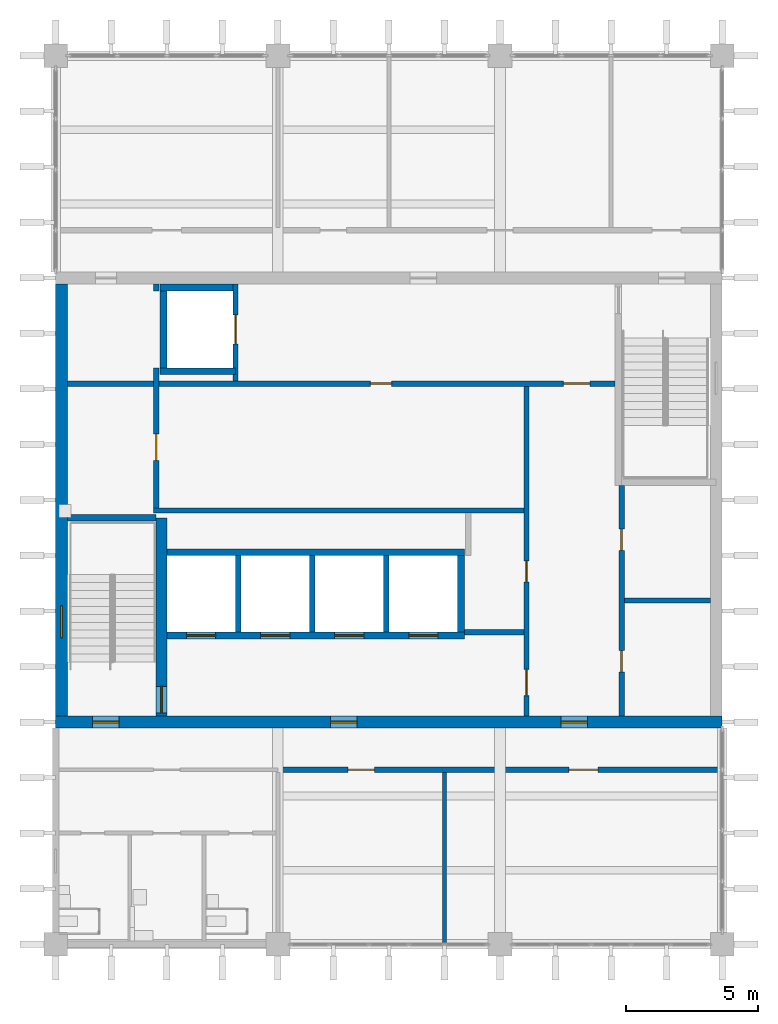
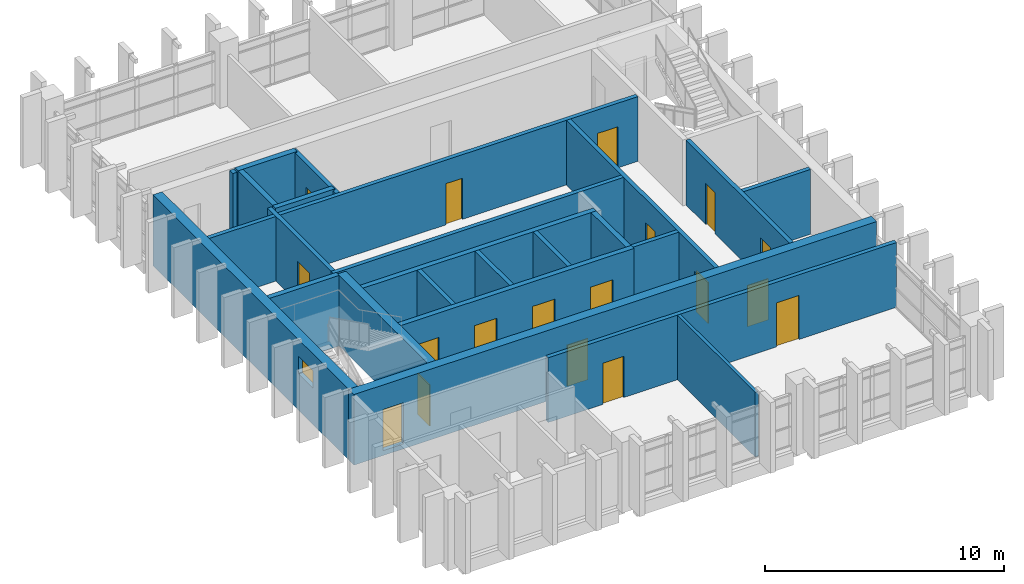
# One storey, part 7 of 10: 24 walls, 18 doors, 1 window, 19 openings.
"""IFC4 building model written with IfcOpenShell, lengths in metres."""

import ifcopenshell
import ifcopenshell.guid

model = None  # the IFC model being written
_history = None  # IfcOwnerHistory: only IFC2X3 demands one
_inside = {}  # id of a spatial element -> (the spatial element, [elements in it])
_under = {}  # id of a project, library or spatial element -> (it, [spatial elements below it])
_declared = {}  # id of a project -> (the project, [libraries it declares])
_typed = {}  # id of a type object -> (the type object, [elements of that type])
_made_of = {}  # id of a material, layer set ... -> (it, [elements and type objects made of it])


def new_model(schema):
    """Start an empty IFC model of exactly this schema.

    Asked for "IFC4X3", IfcOpenShell would pick the latest addendum, in which some entities
    have other attributes; the version numbers below select the first issue.
    IFC2X3 requires an IfcOwnerHistory on every rooted entity: one is made here for all.
    """
    global model, _history
    if schema == "IFC4X3":
        model = ifcopenshell.file(schema_version=(4, 3, 0, 0))
    else:
        model = ifcopenshell.file(schema=schema)
    _inside.clear()
    _under.clear()
    _declared.clear()
    _typed.clear()
    _made_of.clear()
    _history = None
    if model.schema == "IFC2X3":
        org = make("IfcOrganization", Name="unknown")
        user = make(
            "IfcPersonAndOrganization",
            ThePerson=make("IfcPerson", FamilyName="unknown"),
            TheOrganization=org,
        )
        app = make(
            "IfcApplication",
            ApplicationDeveloper=org,
            Version="unknown",
            ApplicationFullName="unknown",
            ApplicationIdentifier="unknown",
        )
        _history = make(
            "IfcOwnerHistory",
            OwningUser=user,
            OwningApplication=app,
            ChangeAction="ADDED",
            CreationDate=0,
        )
    return model


def make(cls, **values):
    """One entity of the class cls with the attributes given. An attribute that is None is left unset."""
    return model.create_entity(
        cls, **{name: value for name, value in values.items() if value is not None}
    )


def rooted(cls, **values):
    """An entity with a GlobalId (a new one), such as an element, a storey or a relation."""
    return make(cls, GlobalId=ifcopenshell.guid.new(), OwnerHistory=_history, **values)


def si_unit(unit_type, name, prefix=None):
    """IfcSIUnit, for example si_unit("LENGTHUNIT", "METRE", prefix="MILLI")."""
    return make("IfcSIUnit", UnitType=unit_type, Prefix=prefix, Name=name)


def assignment(units):
    """IfcUnitAssignment: the units of a project."""
    return None if units is None else make("IfcUnitAssignment", Units=units)


def point(xyz):
    """IfcCartesianPoint."""
    return None if xyz is None else make("IfcCartesianPoint", Coordinates=xyz)


def direction(xyz):
    """IfcDirection."""
    return None if xyz is None else make("IfcDirection", DirectionRatios=xyz)


def frame(location, z_axis=None, x_axis=None):
    """IfcAxis2Placement3D, a coordinate frame: its origin and axes. An axis left out is left unset."""
    return make(
        "IfcAxis2Placement3D",
        Location=point(location),
        Axis=direction(z_axis),
        RefDirection=direction(x_axis),
    )


def frame_2d(location, x_axis=None):
    """IfcAxis2Placement2D, a coordinate frame in the plane: its origin and x axis."""
    return make(
        "IfcAxis2Placement2D", Location=point(location), RefDirection=direction(x_axis)
    )


def origin():
    """The frame at (0, 0, 0) with its axes left unset."""
    return frame((0.0, 0.0, 0.0))


def place(relative_to, where):
    """IfcLocalPlacement: puts the frame where relative to a parent placement (None: the world)."""
    return make(
        "IfcLocalPlacement", PlacementRelTo=relative_to, RelativePlacement=where
    )


def context(
    kind, dimensions, precision=None, world=None, true_north=None, identifier=None
):
    """IfcGeometricRepresentationContext, for example the 3D "Model" context."""
    return make(
        "IfcGeometricRepresentationContext",
        ContextIdentifier=identifier,
        ContextType=kind,
        CoordinateSpaceDimension=dimensions,
        Precision=precision,
        WorldCoordinateSystem=world,
        TrueNorth=true_north,
    )


def subcontext(parent, identifier, kind, view, scale=None):
    """IfcGeometricRepresentationSubContext, for example "Body" below "Model"."""
    return make(
        "IfcGeometricRepresentationSubContext",
        ContextIdentifier=identifier,
        ContextType=kind,
        ParentContext=parent,
        TargetScale=scale,
        TargetView=view,
    )


def project(units=None, contexts=None):
    """IfcProject with its units and contexts."""
    return rooted(
        "IfcProject",
        Name="project",
        RepresentationContexts=contexts,
        UnitsInContext=assignment(units),
    )


def spatial(cls, under=None, at=None, **own):
    """A site, building, storey or space (cls), placed at a placement, below another one or the project."""
    s = rooted(cls, ObjectPlacement=at, **own)
    if under is not None:
        _under.setdefault(under.id(), (under, []))[1].append(s)
    return s


def profile(cls, at=None, kind="AREA", **sizes):
    """A parametric profile (cls). Its sizes go by their IFC names, for example OverallWidth=200.0."""
    return make(cls, ProfileType=kind, Position=at, **sizes)


def rectangle(**sizes):
    """IfcRectangleProfileDef."""
    return profile("IfcRectangleProfileDef", **sizes)


def extrude(swept, where, along, depth):
    """IfcExtrudedAreaSolid: the profile swept, set in the frame where, extruded along a direction by depth."""
    return make(
        "IfcExtrudedAreaSolid",
        SweptArea=swept,
        Position=where,
        ExtrudedDirection=direction(along),
        Depth=depth,
    )


def shape(context_of_items, identifier, shape_type, items):
    """IfcShapeRepresentation: the items that make up one representation, for example the "Body"."""
    return make(
        "IfcShapeRepresentation",
        ContextOfItems=context_of_items,
        RepresentationIdentifier=identifier,
        RepresentationType=shape_type,
        Items=items,
    )


def material(Name=None, Category=None):
    """IfcMaterial."""
    return make("IfcMaterial", Name=Name, Category=Category)


def layer(
    of_material, thickness, ventilated=None, Name=None, Category=None, Priority=None
):
    """IfcMaterialLayer: one layer of a wall or slab, of a material (None: an air gap)."""
    return make(
        "IfcMaterialLayer",
        Material=of_material,
        LayerThickness=thickness,
        IsVentilated=ventilated,
        Name=Name,
        Category=Category,
        Priority=Priority,
    )


def layer_set(layers, Name=None):
    """IfcMaterialLayerSet."""
    return make("IfcMaterialLayerSet", MaterialLayers=layers, LayerSetName=Name)


def made_of(thing, what):
    """Note that an element or type object is made of a material, layer set ...; save() writes the relation."""
    if what is not None:
        _made_of.setdefault(what.id(), (what, []))[1].append(thing)
    return thing


def type_object(cls, material=None, **own):
    """A type object (cls), such as IfcWallType, which elements share."""
    return made_of(rooted(cls, **own), material)


def element(
    cls,
    number,
    at=None,
    inside=None,
    cuts=None,
    type_object=None,
    material=None,
    context=None,
    identifier="Body",
    shape_type=None,
    held_by="IfcProductDefinitionShape",
    body=None,
    shapes=None,
    **own,
):
    """One element of the class cls, such as IfcWall. Its Tag is "e" and its number.

    at: its placement. inside: the storey or other place that contains it. cuts: it is an
    opening in that element (IfcRelVoidsElement). A single representation is given by context,
    identifier, shape_type and body (its items); several are given by shapes. held_by: the class
    of the entity that holds the representations. save() writes the other relations.
    """
    e = rooted(cls, Tag="e%d" % number, ObjectPlacement=at, **own)
    if body is not None:
        shapes = [shape(context, identifier, shape_type, body)]
    if shapes is not None:
        e.Representation = make(held_by, Representations=shapes)
    if inside is not None:
        _inside.setdefault(inside.id(), (inside, []))[1].append(e)
    if cuts is not None:
        rooted(
            "IfcRelVoidsElement", RelatingBuildingElement=cuts, RelatedOpeningElement=e
        )
    if type_object is not None:
        _typed.setdefault(type_object.id(), (type_object, []))[1].append(e)
    return made_of(e, material)


def fill(opening, filler):
    """IfcRelFillsElement: the door or window that sits in an opening."""
    return rooted(
        "IfcRelFillsElement",
        RelatingOpeningElement=opening,
        RelatedBuildingElement=filler,
    )


def aggregate(whole, parts):
    """IfcRelAggregates: a whole, such as a stair, and the parts it consists of."""
    return rooted("IfcRelAggregates", RelatingObject=whole, RelatedObjects=parts)


def save(model, path):
    """Write the relations noted so far, then the file.

    IfcRelAggregates (storeys below a building ...), IfcRelContainedInSpatialStructure (elements
    in a storey), IfcRelDefinesByType, IfcRelAssociatesMaterial and IfcRelDeclares: one each for
    every whole, place, type object, material and project.
    """
    for whole, parts in _under.values():
        aggregate(whole, parts)
    for where, things in _inside.values():
        rooted(
            "IfcRelContainedInSpatialStructure",
            RelatedElements=things,
            RelatingStructure=where,
        )
    for kind, things in _typed.values():
        rooted("IfcRelDefinesByType", RelatedObjects=things, RelatingType=kind)
    for what, things in _made_of.values():
        rooted("IfcRelAssociatesMaterial", RelatedObjects=things, RelatingMaterial=what)
    for by, libraries in _declared.values():
        rooted("IfcRelDeclares", RelatingContext=by, RelatedDefinitions=libraries)
    model.write(path)


model = new_model("IFC4")

# Units and contexts
model_context = context("Model", 3, precision=1e-05, world=origin(), true_north=direction((0.0, 1.0)))
body_context = subcontext(model_context, "Body", "Model", "MODEL_VIEW")
ifc_project = project(units=[si_unit("LENGTHUNIT", "METRE"), si_unit("AREAUNIT", "SQUARE_METRE"), si_unit("VOLUMEUNIT", "CUBIC_METRE"), si_unit("PLANEANGLEUNIT", "RADIAN"), si_unit("MASSUNIT", "GRAM", prefix="KILO")], contexts=[model_context])

# Site, building, storey
site_placement = place(None, origin())
site = spatial("IfcSite", under=ifc_project, at=site_placement, CompositionType="ELEMENT")
building_placement = place(site_placement, origin())
building = spatial("IfcBuilding", under=site, at=building_placement, Name="Rulbaag Community and Learning Centre", CompositionType="ELEMENT")
storey_placement = place(building_placement, frame((0.0, 0.0, 28.800048828125)))
storey = spatial("IfcBuildingStorey", under=building, at=storey_placement, Name="L07", CompositionType="ELEMENT", Elevation=28.800048828125)

# Wall, openings, doors
ifc_material_1 = material(Name="Concrete blockwork", Category="masonry")
ifc_layer_1 = layer(ifc_material_1, 0.199951171875)
ifc_layer_set_1 = layer_set([ifc_layer_1], Name="FW-200 FIRE WALL 200")
wall_type_1 = type_object("IfcWallType", Name="FW-200 FIRE WALL 200", PredefinedType="SOLIDWALL", material=ifc_layer_set_1)
wall_1_placement = place(storey_placement, frame((151.199951171875, 90.60009765625, 0.0), z_axis=(0.0, 0.0, 1.0), x_axis=(1.0, 0.0, 0.0)))
wall_1 = element("IfcWall", 1, at=wall_1_placement, inside=storey, type_object=wall_type_1, Name="Fire wall L07 3", PredefinedType="SOLIDWALL", context=body_context, shape_type="SweptSolid", body=[
    extrude(rectangle(XDim=16.800048828125, YDim=0.199951171875, at=frame_2d((8.39990234375, 0.0))), origin(), (0.0, 0.0, 1.0), 3.300048828125),
])
opening_1_placement = place(wall_1_placement, frame((2.64990234375, 0.0, 0.0)))
opening_1 = element("IfcOpeningElement", 2, at=opening_1_placement, cuts=wall_1, Name="Opening L07-D018", PredefinedType="OPENING", context=body_context, shape_type="SweptSolid", body=[
    extrude(rectangle(XDim=1.0, YDim=2.10009765625, at=frame_2d((0.5, 1.050048828125))), frame((0.0, 0.10986328125, 0.0), z_axis=(0.0, -1.0, 0.0), x_axis=(1.0, 0.0, 0.0)), (0.0, 0.0, 1.0), 0.219970703125),
])
opening_2_placement = place(wall_1_placement, frame((11.0, 0.0, 0.0)))
opening_2 = element("IfcOpeningElement", 3, at=opening_2_placement, cuts=wall_1, Name="Opening L07-D027", PredefinedType="OPENING", context=body_context, shape_type="SweptSolid", body=[
    extrude(rectangle(XDim=1.10009765625, YDim=2.25, at=frame_2d((0.550048828125, 1.125))), frame((0.0, 0.10986328125, 0.0), z_axis=(0.0, -1.0, 0.0), x_axis=(1.0, 0.0, 0.0)), (0.0, 0.0, 1.0), 0.219970703125),
])
ifc_material_2 = material(Name="Timber", Category="wood")
door_type_1 = type_object("IfcDoorType", Name="D-1100 OFFICE SUITE ENTRANCE DOOR 1100 x 2250", OperationType="SINGLE_SWING_LEFT", PredefinedType="DOOR", material=ifc_material_2)
door_1_placement = place(opening_2_placement, origin())
door_1 = element("IfcDoor", 4, at=door_1_placement, inside=storey, type_object=door_type_1, Name="Door L07-D027", OperationType="SINGLE_SWING_RIGHT", OverallHeight=2.25, OverallWidth=1.10009765625, PredefinedType="DOOR", context=body_context, shape_type="SweptSolid", body=[
    extrude(rectangle(XDim=1.10009765625, YDim=2.25, at=frame_2d((0.550048828125, 1.125))), frame((0.0, 0.02490234375, 0.0), z_axis=(0.0, -1.0, 0.0), x_axis=(1.0, 0.0, 0.0)), (0.0, 0.0, 1.0), 0.050048828125),
])
fill(opening_2, door_1)
ifc_material_3 = material(Name="Galvanised steel", Category="steel")
door_type_2 = type_object("IfcDoorType", Name="FD-1000 FIRE DOOR 1000 x 2100", OperationType="SINGLE_SWING_LEFT", PredefinedType="DOOR", material=ifc_material_3)
door_2_placement = place(opening_1_placement, origin())
door_2 = element("IfcDoor", 5, at=door_2_placement, inside=storey, type_object=door_type_2, Name="Door L07-D018", OperationType="SINGLE_SWING_LEFT", OverallHeight=2.10009765625, OverallWidth=1.0, PredefinedType="DOOR", context=body_context, shape_type="SweptSolid", body=[
    extrude(rectangle(XDim=1.0, YDim=2.10009765625, at=frame_2d((0.5, 1.050048828125))), frame((0.0, 0.02490234375, 0.0), z_axis=(0.0, -1.0, 0.0), x_axis=(1.0, 0.0, 0.0)), (0.0, 0.0, 1.0), 0.050048828125),
])
fill(opening_1, door_2)

# Walls
wall_2_placement = place(storey_placement, frame((158.25, 95.800048828125, 0.0), z_axis=(0.0, 0.0, 1.0), x_axis=(1.0, 0.0, 0.0)))
element("IfcWall", 6, at=wall_2_placement, inside=storey, type_object=wall_type_1, Name="Fire wall L07 5", PredefinedType="SOLIDWALL", context=body_context, shape_type="SweptSolid", body=[
    extrude(rectangle(XDim=2.25, YDim=0.199951171875, at=frame_2d((1.125, 0.0))), origin(), (0.0, 0.0, 1.0), 3.300048828125),
])
wall_3_placement = place(storey_placement, frame((164.300048828125, 97.0, 0.0), z_axis=(0.0, 0.0, 1.0), x_axis=(1.0, 0.0, 0.0)))
element("IfcWall", 7, at=wall_3_placement, inside=storey, type_object=wall_type_1, Name="Fire wall L07 6", PredefinedType="SOLIDWALL", context=body_context, shape_type="SweptSolid", body=[
    extrude(rectangle(XDim=3.25, YDim=0.199951171875, at=frame_2d((1.625, 0.0))), origin(), (0.0, 0.0, 1.0), 3.300048828125),
])
wall_4_placement = place(storey_placement, frame((146.5, 100.39990234375, 0.0), z_axis=(0.0, 0.0, 1.0), x_axis=(1.0, 0.0, 0.0)))
element("IfcWall", 8, at=wall_4_placement, inside=storey, type_object=wall_type_1, Name="Fire wall L07 8", PredefinedType="SOLIDWALL", context=body_context, shape_type="SweptSolid", body=[
    extrude(rectangle(XDim=14.0, YDim=0.199951171875, at=frame_2d((7.0, 0.0))), origin(), (0.0, 0.0, 1.0), 3.300048828125),
])

# Wall, openings, doors
wall_5_placement = place(storey_placement, frame((143.25, 105.199951171875, 0.0), z_axis=(0.0, 0.0, 1.0), x_axis=(1.0, 0.0, 0.0)))
wall_5 = element("IfcWall", 9, at=wall_5_placement, inside=storey, type_object=wall_type_1, Name="Fire wall L07 9", PredefinedType="SOLIDWALL", context=body_context, shape_type="SweptSolid", body=[
    extrude(rectangle(XDim=20.699951171875, YDim=0.199951171875, at=frame_2d((10.35009765625, 0.0))), origin(), (0.0, 0.0, 1.0), 3.300048828125),
])
opening_3_placement = place(wall_5_placement, frame((11.449951171875, 0.0, 0.0)))
opening_3 = element("IfcOpeningElement", 10, at=opening_3_placement, cuts=wall_5, Name="Opening L07-D019", PredefinedType="OPENING", context=body_context, shape_type="SweptSolid", body=[
    extrude(rectangle(XDim=0.800048828125, YDim=2.10009765625, at=frame_2d((0.39990234375, 1.050048828125))), frame((0.0, 0.10986328125, 0.0), z_axis=(0.0, -1.0, 0.0), x_axis=(1.0, 0.0, 0.0)), (0.0, 0.0, 1.0), 0.219970703125),
])
opening_4_placement = place(wall_5_placement, frame((18.75, 0.0, 0.0)))
opening_4 = element("IfcOpeningElement", 11, at=opening_4_placement, cuts=wall_5, Name="Opening L07-D026", PredefinedType="OPENING", context=body_context, shape_type="SweptSolid", body=[
    extrude(rectangle(XDim=1.0, YDim=2.10009765625, at=frame_2d((0.5, 1.050048828125))), frame((0.0, 0.10986328125, 0.0), z_axis=(0.0, -1.0, 0.0), x_axis=(1.0, 0.0, 0.0)), (0.0, 0.0, 1.0), 0.219970703125),
])
door_3_placement = place(opening_4_placement, origin())
door_3 = element("IfcDoor", 12, at=door_3_placement, inside=storey, type_object=door_type_2, Name="Door L07-D026", OperationType="SINGLE_SWING_LEFT", OverallHeight=2.10009765625, OverallWidth=1.0, PredefinedType="DOOR", context=body_context, shape_type="SweptSolid", body=[
    extrude(rectangle(XDim=1.0, YDim=2.10009765625, at=frame_2d((0.5, 1.050048828125))), frame((0.0, 0.02490234375, 0.0), z_axis=(0.0, -1.0, 0.0), x_axis=(1.0, 0.0, 0.0)), (0.0, 0.0, 1.0), 0.050048828125),
])
fill(opening_4, door_3)
door_type_3 = type_object("IfcDoorType", Name="FDR-800 RISER FIRE DOOR 800 x 2100", OperationType="SINGLE_SWING_LEFT", PredefinedType="DOOR", material=ifc_material_3)
door_4_placement = place(opening_3_placement, origin())
door_4 = element("IfcDoor", 13, at=door_4_placement, inside=storey, type_object=door_type_3, Name="Riser door L07-D022", OperationType="SINGLE_SWING_RIGHT", OverallHeight=2.10009765625, OverallWidth=0.800048828125, PredefinedType="DOOR", context=body_context, shape_type="SweptSolid", body=[
    extrude(rectangle(XDim=0.800048828125, YDim=2.10009765625, at=frame_2d((0.39990234375, 1.050048828125))), frame((0.0, 0.02490234375, 0.0), z_axis=(0.0, -1.0, 0.0), x_axis=(1.0, 0.0, 0.0)), (0.0, 0.0, 1.0), 0.050048828125),
])
fill(opening_3, door_4)

# Wall, opening, door
wall_6_placement = place(storey_placement, frame((146.60009765625, 100.5, 0.0), z_axis=(0.0, 0.0, 1.0), x_axis=(0.0, 1.0, 0.0)))
wall_6 = element("IfcWall", 14, at=wall_6_placement, inside=storey, type_object=wall_type_1, Name="Fire wall L07 12", PredefinedType="SOLIDWALL", context=body_context, shape_type="SweptSolid", body=[
    extrude(rectangle(XDim=5.300048828125, YDim=0.199951171875, at=frame_2d((2.64990234375, 0.0))), origin(), (0.0, 0.0, 1.0), 3.300048828125),
])
opening_5_placement = place(wall_6_placement, frame((1.800048828125, 0.0, 0.0)))
opening_5 = element("IfcOpeningElement", 15, at=opening_5_placement, cuts=wall_6, Name="Opening L07-D005", PredefinedType="OPENING", context=body_context, shape_type="SweptSolid", body=[
    extrude(rectangle(XDim=1.0, YDim=2.10009765625, at=frame_2d((0.5, 1.050048828125))), frame((0.0, 0.10986328125, 0.0), z_axis=(0.0, -1.0, 0.0), x_axis=(1.0, 0.0, 0.0)), (0.0, 0.0, 1.0), 0.219970703125),
])
door_5_placement = place(opening_5_placement, origin())
door_5 = element("IfcDoor", 16, at=door_5_placement, inside=storey, type_object=door_type_2, Name="Door L07-D005", OperationType="SINGLE_SWING_LEFT", OverallHeight=2.10009765625, OverallWidth=1.0, PredefinedType="DOOR", context=body_context, shape_type="SweptSolid", body=[
    extrude(rectangle(XDim=1.0, YDim=2.10009765625, at=frame_2d((0.5, 1.050048828125))), frame((0.0, 0.02490234375, 0.0), z_axis=(0.0, -1.0, 0.0), x_axis=(1.0, 0.0, 0.0)), (0.0, 0.0, 1.0), 0.050048828125),
])
fill(opening_5, door_5)

# Wall
wall_7_placement = place(storey_placement, frame((146.60009765625, 108.699951171875, 0.0), z_axis=(0.0, 0.0, 1.0), x_axis=(0.0, 1.0, 0.0)))
element("IfcWall", 17, at=wall_7_placement, inside=storey, type_object=wall_type_1, Name="Fire wall L07 13", PredefinedType="SOLIDWALL", context=body_context, shape_type="SweptSolid", body=[
    extrude(rectangle(XDim=0.275146484375, YDim=0.199951171875, at=frame_2d((0.1376953125, 0.0))), origin(), (0.0, 0.0, 1.0), 3.300048828125),
])

# Wall, opening, door
wall_8_placement = place(storey_placement, frame((149.60009765625, 105.300048828125, 0.0), z_axis=(0.0, 0.0, 1.0), x_axis=(0.0, 1.0, 0.0)))
wall_8 = element("IfcWall", 18, at=wall_8_placement, inside=storey, type_object=wall_type_1, Name="Fire wall L07 15", PredefinedType="SOLIDWALL", context=body_context, shape_type="SweptSolid", body=[
    extrude(rectangle(XDim=3.675048828125, YDim=0.199951171875, at=frame_2d((1.83740234375, 0.0))), origin(), (0.0, 0.0, 1.0), 3.300048828125),
])
opening_6_placement = place(wall_8_placement, frame((1.39990234375, 0.0, 0.0)))
opening_6 = element("IfcOpeningElement", 19, at=opening_6_placement, cuts=wall_8, Name="Opening L07-D011", PredefinedType="OPENING", context=body_context, shape_type="SweptSolid", body=[
    extrude(rectangle(XDim=1.10009765625, YDim=2.10009765625, at=frame_2d((0.550048828125, 1.050048828125))), frame((0.0, 0.10986328125, 0.0), z_axis=(0.0, -1.0, 0.0), x_axis=(1.0, 0.0, 0.0)), (0.0, 0.0, 1.0), 0.219970703125),
])
ifc_material_4 = material(Name="Stainless steel grade 304", Category="steel")
door_type_4 = type_object("IfcDoorType", Name="LD-1100 LIFT LANDING DOOR 1100 x 2100", OperationType="SLIDING_TO_LEFT", PredefinedType="DOOR", material=ifc_material_4)
door_6_placement = place(opening_6_placement, origin())
door_6 = element("IfcDoor", 20, at=door_6_placement, inside=storey, type_object=door_type_4, Name="Lift landing door LF1 L07", OperationType="SLIDING_TO_LEFT", OverallHeight=2.10009765625, OverallWidth=1.10009765625, PredefinedType="DOOR", context=body_context, shape_type="SweptSolid", body=[
    extrude(rectangle(XDim=1.10009765625, YDim=2.10009765625, at=frame_2d((0.550048828125, 1.050048828125))), frame((0.0, 0.02490234375, 0.0), z_axis=(0.0, -1.0, 0.0), x_axis=(1.0, 0.0, 0.0)), (0.0, 0.0, 1.0), 0.050048828125),
])
fill(opening_6, door_6)

# Wall, openings, doors
wall_9_placement = place(storey_placement, frame((160.60009765625, 92.625, 0.0), z_axis=(0.0, 0.0, 1.0), x_axis=(0.0, 1.0, 0.0)))
wall_9 = element("IfcWall", 21, at=wall_9_placement, inside=storey, type_object=wall_type_1, Name="Fire wall L07 21", PredefinedType="SOLIDWALL", context=body_context, shape_type="SweptSolid", body=[
    extrude(rectangle(XDim=12.47509765625, YDim=0.199951171875, at=frame_2d((6.237548828125, 0.0))), origin(), (0.0, 0.0, 1.0), 3.300048828125),
])
opening_7_placement = place(wall_9_placement, frame((5.074951171875, 0.0, 0.0)))
opening_7 = element("IfcOpeningElement", 22, at=opening_7_placement, cuts=wall_9, Name="Opening L07-D024", PredefinedType="OPENING", context=body_context, shape_type="SweptSolid", body=[
    extrude(rectangle(XDim=0.800048828125, YDim=2.10009765625, at=frame_2d((0.39990234375, 1.050048828125))), frame((0.0, 0.10986328125, 0.0), z_axis=(0.0, -1.0, 0.0), x_axis=(1.0, 0.0, 0.0)), (0.0, 0.0, 1.0), 0.219970703125),
])
opening_8_placement = place(wall_9_placement, frame((0.77490234375, 0.0, 0.0)))
opening_8 = element("IfcOpeningElement", 23, at=opening_8_placement, cuts=wall_9, Name="Opening L07-D023", PredefinedType="OPENING", context=body_context, shape_type="SweptSolid", body=[
    extrude(rectangle(XDim=1.0, YDim=2.10009765625, at=frame_2d((0.5, 1.050048828125))), frame((0.0, 0.10986328125, 0.0), z_axis=(0.0, -1.0, 0.0), x_axis=(1.0, 0.0, 0.0)), (0.0, 0.0, 1.0), 0.219970703125),
])
door_7_placement = place(opening_8_placement, origin())
door_7 = element("IfcDoor", 24, at=door_7_placement, inside=storey, type_object=door_type_2, Name="Door L07-D023", OperationType="SINGLE_SWING_LEFT", OverallHeight=2.10009765625, OverallWidth=1.0, PredefinedType="DOOR", context=body_context, shape_type="SweptSolid", body=[
    extrude(rectangle(XDim=1.0, YDim=2.10009765625, at=frame_2d((0.5, 1.050048828125))), frame((0.0, 0.02490234375, 0.0), z_axis=(0.0, -1.0, 0.0), x_axis=(1.0, 0.0, 0.0)), (0.0, 0.0, 1.0), 0.050048828125),
])
fill(opening_8, door_7)
door_8_placement = place(opening_7_placement, origin())
door_8 = element("IfcDoor", 25, at=door_8_placement, inside=storey, type_object=door_type_3, Name="Riser door L07-D021", OperationType="SINGLE_SWING_RIGHT", OverallHeight=2.10009765625, OverallWidth=0.800048828125, PredefinedType="DOOR", context=body_context, shape_type="SweptSolid", body=[
    extrude(rectangle(XDim=0.800048828125, YDim=2.10009765625, at=frame_2d((0.39990234375, 1.050048828125))), frame((0.0, 0.02490234375, 0.0), z_axis=(0.0, -1.0, 0.0), x_axis=(1.0, 0.0, 0.0)), (0.0, 0.0, 1.0), 0.050048828125),
])
fill(opening_7, door_8)

wall_10_placement = place(storey_placement, frame((164.199951171875, 92.625, 0.0), z_axis=(0.0, 0.0, 1.0), x_axis=(0.0, 1.0, 0.0)))
wall_10 = element("IfcWall", 26, at=wall_10_placement, inside=storey, type_object=wall_type_1, Name="Fire wall L07 23", PredefinedType="SOLIDWALL", context=body_context, shape_type="SweptSolid", body=[
    extrude(rectangle(XDim=8.72509765625, YDim=0.199951171875, at=frame_2d((4.362548828125, 0.0))), origin(), (0.0, 0.0, 1.0), 3.300048828125),
])
opening_9_placement = place(wall_10_placement, frame((1.675048828125, 0.0, 0.0)))
opening_9 = element("IfcOpeningElement", 27, at=opening_9_placement, cuts=wall_10, Name="Opening L07-D029", PredefinedType="OPENING", context=body_context, shape_type="SweptSolid", body=[
    extrude(rectangle(XDim=0.800048828125, YDim=2.10009765625, at=frame_2d((0.39990234375, 1.050048828125))), frame((0.0, 0.10986328125, 0.0), z_axis=(0.0, -1.0, 0.0), x_axis=(1.0, 0.0, 0.0)), (0.0, 0.0, 1.0), 0.219970703125),
])
opening_10_placement = place(wall_10_placement, frame((6.27490234375, 0.0, 0.0)))
opening_10 = element("IfcOpeningElement", 28, at=opening_10_placement, cuts=wall_10, Name="Opening L07-D030", PredefinedType="OPENING", context=body_context, shape_type="SweptSolid", body=[
    extrude(rectangle(XDim=0.800048828125, YDim=2.10009765625, at=frame_2d((0.39990234375, 1.050048828125))), frame((0.0, 0.10986328125, 0.0), z_axis=(0.0, -1.0, 0.0), x_axis=(1.0, 0.0, 0.0)), (0.0, 0.0, 1.0), 0.219970703125),
])
door_9_placement = place(opening_9_placement, origin())
door_9 = element("IfcDoor", 29, at=door_9_placement, inside=storey, type_object=door_type_3, Name="Riser door L07-D019", OperationType="SINGLE_SWING_LEFT", OverallHeight=2.10009765625, OverallWidth=0.800048828125, PredefinedType="DOOR", context=body_context, shape_type="SweptSolid", body=[
    extrude(rectangle(XDim=0.800048828125, YDim=2.10009765625, at=frame_2d((0.39990234375, 1.050048828125))), frame((0.0, 0.02490234375, 0.0), z_axis=(0.0, -1.0, 0.0), x_axis=(1.0, 0.0, 0.0)), (0.0, 0.0, 1.0), 0.050048828125),
])
fill(opening_9, door_9)
door_10_placement = place(opening_10_placement, origin())
door_10 = element("IfcDoor", 30, at=door_10_placement, inside=storey, type_object=door_type_3, Name="Riser door L07-D020", OperationType="SINGLE_SWING_RIGHT", OverallHeight=2.10009765625, OverallWidth=0.800048828125, PredefinedType="DOOR", context=body_context, shape_type="SweptSolid", body=[
    extrude(rectangle(XDim=0.800048828125, YDim=2.10009765625, at=frame_2d((0.39990234375, 1.050048828125))), frame((0.0, 0.02490234375, 0.0), z_axis=(0.0, -1.0, 0.0), x_axis=(1.0, 0.0, 0.0)), (0.0, 0.0, 1.0), 0.050048828125),
])
fill(opening_10, door_10)

# Wall
ifc_layer_2 = layer(ifc_material_1, 0.14990234375)
ifc_layer_set_2 = layer_set([ifc_layer_2], Name="IP-150 PARTITION 150")
wall_type_2 = type_object("IfcWallType", Name="IP-150 PARTITION 150", PredefinedType="PARTITIONING", material=ifc_layer_set_2)
wall_11_placement = place(storey_placement, frame((157.5, 84.0, 0.0), z_axis=(0.0, 0.0, 1.0), x_axis=(0.0, 1.0, 0.0)))
element("IfcWall", 31, at=wall_11_placement, inside=storey, type_object=wall_type_2, Name="Partition L07 19", PredefinedType="PARTITIONING", context=body_context, shape_type="SweptSolid", body=[
    extrude(rectangle(XDim=6.5, YDim=0.14990234375, at=frame_2d((3.25, 0.0))), origin(), (0.0, 0.0, 1.0), 3.300048828125),
])

# Wall, openings, doors
ifc_material_5 = material(Name="Concrete M60", Category="concrete")
ifc_layer_3 = layer(ifc_material_5, 0.449951171875)
ifc_layer_set_3 = layer_set([ifc_layer_3], Name="W1 Core wall 450 Concrete M60")
wall_type_3 = type_object("IfcWallType", Name="W1 Core wall 450 Concrete M60", PredefinedType="SHEAR", material=ifc_layer_set_3)
wall_12_placement = place(storey_placement, frame((142.800048828125, 92.39990234375, -0.25), z_axis=(0.0, 0.0, 1.0), x_axis=(1.0, 0.0, 0.0)))
wall_12 = element("IfcWall", 32, at=wall_12_placement, inside=storey, type_object=wall_type_3, Name="WL-CORE-S-L07", PredefinedType="SHEAR", context=body_context, shape_type="SweptSolid", body=[
    extrude(rectangle(XDim=25.199951171875, YDim=0.449951171875, at=frame_2d((12.60009765625, 0.0))), origin(), (0.0, 0.0, 1.0), 3.599853515625),
])
opening_11_placement = place(wall_12_placement, frame((1.39990234375, 0.0, 0.25)))
opening_11 = element("IfcOpeningElement", 33, at=opening_11_placement, cuts=wall_12, Name="Opening L07-D003", PredefinedType="OPENING", context=body_context, shape_type="SweptSolid", body=[
    extrude(rectangle(XDim=1.0, YDim=2.10009765625, at=frame_2d((0.5, 1.050048828125))), frame((0.0, 0.23486328125, 0.0), z_axis=(0.0, -1.0, 0.0), x_axis=(1.0, 0.0, 0.0)), (0.0, 0.0, 1.0), 0.469970703125),
])
opening_12_placement = place(wall_12_placement, frame((19.10009765625, 0.0, 0.25)))
opening_12 = element("IfcOpeningElement", 34, at=opening_12_placement, cuts=wall_12, Name="Opening L07-D025", PredefinedType="OPENING", context=body_context, shape_type="SweptSolid", body=[
    extrude(rectangle(XDim=1.0, YDim=2.10009765625, at=frame_2d((0.5, 1.050048828125))), frame((0.0, 0.23486328125, 0.0), z_axis=(0.0, -1.0, 0.0), x_axis=(1.0, 0.0, 0.0)), (0.0, 0.0, 1.0), 0.469970703125),
])
opening_13_placement = place(wall_12_placement, frame((10.39990234375, 0.0, 0.25)))
opening_13 = element("IfcOpeningElement", 35, at=opening_13_placement, cuts=wall_12, Name="Opening L07-D016", PredefinedType="OPENING", context=body_context, shape_type="SweptSolid", body=[
    extrude(rectangle(XDim=1.0, YDim=2.10009765625, at=frame_2d((0.5, 1.050048828125))), frame((0.0, 0.23486328125, 0.0), z_axis=(0.0, -1.0, 0.0), x_axis=(1.0, 0.0, 0.0)), (0.0, 0.0, 1.0), 0.469970703125),
])
door_type_5 = type_object("IfcDoorType", Name="D-1000 DOOR 1000 x 2100", OperationType="SINGLE_SWING_LEFT", PredefinedType="DOOR", material=ifc_material_2)
door_11_placement = place(opening_12_placement, origin())
door_11 = element("IfcDoor", 36, at=door_11_placement, inside=storey, type_object=door_type_5, Name="Door L07-D025", OperationType="SINGLE_SWING_LEFT", OverallHeight=2.10009765625, OverallWidth=1.0, PredefinedType="DOOR", context=body_context, shape_type="SweptSolid", body=[
    extrude(rectangle(XDim=1.0, YDim=2.10009765625, at=frame_2d((0.5, 1.050048828125))), frame((0.0, 0.02490234375, 0.0), z_axis=(0.0, -1.0, 0.0), x_axis=(1.0, 0.0, 0.0)), (0.0, 0.0, 1.0), 0.050048828125),
])
fill(opening_12, door_11)
door_12_placement = place(opening_11_placement, origin())
door_12 = element("IfcDoor", 37, at=door_12_placement, inside=storey, type_object=door_type_2, Name="Door L07-D003", OperationType="SINGLE_SWING_RIGHT", OverallHeight=2.10009765625, OverallWidth=1.0, PredefinedType="DOOR", context=body_context, shape_type="SweptSolid", body=[
    extrude(rectangle(XDim=1.0, YDim=2.10009765625, at=frame_2d((0.5, 1.050048828125))), frame((0.0, 0.02490234375, 0.0), z_axis=(0.0, -1.0, 0.0), x_axis=(1.0, 0.0, 0.0)), (0.0, 0.0, 1.0), 0.050048828125),
])
fill(opening_11, door_12)
door_13_placement = place(opening_13_placement, origin())
door_13 = element("IfcDoor", 38, at=door_13_placement, inside=storey, type_object=door_type_2, Name="Door L07-D016", OperationType="SINGLE_SWING_RIGHT", OverallHeight=2.10009765625, OverallWidth=1.0, PredefinedType="DOOR", context=body_context, shape_type="SweptSolid", body=[
    extrude(rectangle(XDim=1.0, YDim=2.10009765625, at=frame_2d((0.5, 1.050048828125))), frame((0.0, 0.02490234375, 0.0), z_axis=(0.0, -1.0, 0.0), x_axis=(1.0, 0.0, 0.0)), (0.0, 0.0, 1.0), 0.050048828125),
])
fill(opening_13, door_13)

# Wall, opening, window
wall_13_placement = place(storey_placement, frame((143.02490234375, 92.625, -0.25), z_axis=(0.0, 0.0, 1.0), x_axis=(0.0, 1.0, 0.0)))
wall_13 = element("IfcWall", 39, at=wall_13_placement, inside=storey, type_object=wall_type_3, Name="WL-CORE-W-L07", PredefinedType="SHEAR", context=body_context, shape_type="SweptSolid", body=[
    extrude(rectangle(XDim=16.35009765625, YDim=0.449951171875, at=frame_2d((8.175048828125, 0.0))), origin(), (0.0, 0.0, 1.0), 3.599853515625),
])
opening_14_placement = place(wall_13_placement, frame((2.97509765625, 0.0, 1.85009765625)))
opening_14 = element("IfcOpeningElement", 40, at=opening_14_placement, cuts=wall_13, Name="Opening WN19", PredefinedType="OPENING", context=body_context, shape_type="SweptSolid", body=[
    extrude(rectangle(XDim=1.199951171875, YDim=0.89990234375, at=frame_2d((0.60009765625, 0.449951171875))), frame((0.0, 0.23486328125, 0.0), z_axis=(0.0, -1.0, 0.0), x_axis=(1.0, 0.0, 0.0)), (0.0, 0.0, 1.0), 0.469970703125),
])
ifc_material_6 = material(Name="Aluminium", Category="aluminium")
window_type = type_object("IfcWindowType", Name="WS-12", PartitioningType="SINGLE_PANEL", PredefinedType="WINDOW", material=ifc_material_6)
window_placement = place(opening_14_placement, origin())
window = element("IfcWindow", 41, at=window_placement, inside=storey, type_object=window_type, Name="Stair window", OverallHeight=0.89990234375, OverallWidth=1.199951171875, PartitioningType="SINGLE_PANEL", PredefinedType="WINDOW", context=body_context, shape_type="SweptSolid", body=[
    extrude(rectangle(XDim=1.199951171875, YDim=0.89990234375, at=frame_2d((0.60009765625, 0.449951171875))), frame((0.0, 0.030029296875, 0.0), z_axis=(0.0, -1.0, 0.0), x_axis=(1.0, 0.0, 0.0)), (0.0, 0.0, 1.0), 0.06005859375),
])
fill(opening_14, window)

# Walls
ifc_material_7 = material(Name="Concrete M40", Category="concrete")
ifc_layer_4 = layer(ifc_material_7, 0.27490234375)
ifc_layer_set_4 = layer_set([ifc_layer_4], Name="W16 Shaft wall 275 Concrete M40")
wall_type_4 = type_object("IfcWallType", Name="W16 Shaft wall 275 Concrete M40", PredefinedType="SHEAR", material=ifc_layer_set_4)
wall_14_placement = place(storey_placement, frame((146.75, 108.83740234375, -0.25), z_axis=(0.0, 0.0, 1.0), x_axis=(1.0, 0.0, 0.0)))
element("IfcWall", 42, at=wall_14_placement, inside=storey, type_object=wall_type_4, Name="WL-LF-N-L07", PredefinedType="SHEAR", context=body_context, shape_type="SweptSolid", body=[
    extrude(rectangle(XDim=2.85009765625, YDim=0.27490234375, at=frame_2d((1.425048828125, 0.0))), origin(), (0.0, 0.0, 1.0), 3.599853515625),
])
ifc_layer_5 = layer(ifc_material_7, 0.25)
ifc_layer_set_5 = layer_set([ifc_layer_5], Name="W5 Shaft wall 250 Concrete M40")
wall_type_5 = type_object("IfcWallType", Name="W5 Shaft wall 250 Concrete M40", PredefinedType="SHEAR", material=ifc_layer_set_5)
wall_15_placement = place(storey_placement, frame((143.25, 100.125, -0.25), z_axis=(0.0, 0.0, 1.0), x_axis=(1.0, 0.0, 0.0)))
element("IfcWall", 43, at=wall_15_placement, inside=storey, type_object=wall_type_5, Name="WL-ST1-N-L07", PredefinedType="SHEAR", context=body_context, shape_type="SweptSolid", body=[
    extrude(rectangle(XDim=3.35009765625, YDim=0.25, at=frame_2d((1.675048828125, 0.0))), origin(), (0.0, 0.0, 1.0), 3.599853515625),
])

# Wall, openings, doors
wall_16_placement = place(storey_placement, frame((147.0, 95.675048828125, -0.25), z_axis=(0.0, 0.0, 1.0), x_axis=(1.0, 0.0, 0.0)))
wall_16 = element("IfcWall", 44, at=wall_16_placement, inside=storey, type_object=wall_type_5, Name="WL-LP-S-L07", PredefinedType="SHEAR", context=body_context, shape_type="SweptSolid", body=[
    extrude(rectangle(XDim=11.25, YDim=0.25, at=frame_2d((5.625, 0.0))), origin(), (0.0, 0.0, 1.0), 3.599853515625),
])
opening_15_placement = place(wall_16_placement, frame((0.75, 0.0, 0.25)))
opening_15 = element("IfcOpeningElement", 45, at=opening_15_placement, cuts=wall_16, Name="Opening L07-D010", PredefinedType="OPENING", context=body_context, shape_type="SweptSolid", body=[
    extrude(rectangle(XDim=1.10009765625, YDim=2.10009765625, at=frame_2d((0.550048828125, 1.050048828125))), frame((0.0, 0.135009765625, 0.0), z_axis=(0.0, -1.0, 0.0), x_axis=(1.0, 0.0, 0.0)), (0.0, 0.0, 1.0), 0.27001953125),
])
opening_16_placement = place(wall_16_placement, frame((3.550048828125, 0.0, 0.25)))
opening_16 = element("IfcOpeningElement", 46, at=opening_16_placement, cuts=wall_16, Name="Opening L07-D014", PredefinedType="OPENING", context=body_context, shape_type="SweptSolid", body=[
    extrude(rectangle(XDim=1.10009765625, YDim=2.10009765625, at=frame_2d((0.550048828125, 1.050048828125))), frame((0.0, 0.135009765625, 0.0), z_axis=(0.0, -1.0, 0.0), x_axis=(1.0, 0.0, 0.0)), (0.0, 0.0, 1.0), 0.27001953125),
])
opening_17_placement = place(wall_16_placement, frame((6.35009765625, 0.0, 0.25)))
opening_17 = element("IfcOpeningElement", 47, at=opening_17_placement, cuts=wall_16, Name="Opening L07-D017", PredefinedType="OPENING", context=body_context, shape_type="SweptSolid", body=[
    extrude(rectangle(XDim=1.10009765625, YDim=2.10009765625, at=frame_2d((0.550048828125, 1.050048828125))), frame((0.0, 0.135009765625, 0.0), z_axis=(0.0, -1.0, 0.0), x_axis=(1.0, 0.0, 0.0)), (0.0, 0.0, 1.0), 0.27001953125),
])
opening_18_placement = place(wall_16_placement, frame((9.14990234375, 0.0, 0.25)))
opening_18 = element("IfcOpeningElement", 48, at=opening_18_placement, cuts=wall_16, Name="Opening L07-D020", PredefinedType="OPENING", context=body_context, shape_type="SweptSolid", body=[
    extrude(rectangle(XDim=1.10009765625, YDim=2.10009765625, at=frame_2d((0.550048828125, 1.050048828125))), frame((0.0, 0.135009765625, 0.0), z_axis=(0.0, -1.0, 0.0), x_axis=(1.0, 0.0, 0.0)), (0.0, 0.0, 1.0), 0.27001953125),
])
door_14_placement = place(opening_15_placement, origin())
door_14 = element("IfcDoor", 49, at=door_14_placement, inside=storey, type_object=door_type_4, Name="Lift landing door LP1 L07", OperationType="SLIDING_TO_LEFT", OverallHeight=2.10009765625, OverallWidth=1.10009765625, PredefinedType="DOOR", context=body_context, shape_type="SweptSolid", body=[
    extrude(rectangle(XDim=1.10009765625, YDim=2.10009765625, at=frame_2d((0.550048828125, 1.050048828125))), frame((0.0, 0.02490234375, 0.0), z_axis=(0.0, -1.0, 0.0), x_axis=(1.0, 0.0, 0.0)), (0.0, 0.0, 1.0), 0.050048828125),
])
fill(opening_15, door_14)
door_15_placement = place(opening_16_placement, origin())
door_15 = element("IfcDoor", 50, at=door_15_placement, inside=storey, type_object=door_type_4, Name="Lift landing door LP2 L07", OperationType="SLIDING_TO_LEFT", OverallHeight=2.10009765625, OverallWidth=1.10009765625, PredefinedType="DOOR", context=body_context, shape_type="SweptSolid", body=[
    extrude(rectangle(XDim=1.10009765625, YDim=2.10009765625, at=frame_2d((0.550048828125, 1.050048828125))), frame((0.0, 0.02490234375, 0.0), z_axis=(0.0, -1.0, 0.0), x_axis=(1.0, 0.0, 0.0)), (0.0, 0.0, 1.0), 0.050048828125),
])
fill(opening_16, door_15)
door_16_placement = place(opening_17_placement, origin())
door_16 = element("IfcDoor", 51, at=door_16_placement, inside=storey, type_object=door_type_4, Name="Lift landing door LP3 L07", OperationType="SLIDING_TO_LEFT", OverallHeight=2.10009765625, OverallWidth=1.10009765625, PredefinedType="DOOR", context=body_context, shape_type="SweptSolid", body=[
    extrude(rectangle(XDim=1.10009765625, YDim=2.10009765625, at=frame_2d((0.550048828125, 1.050048828125))), frame((0.0, 0.02490234375, 0.0), z_axis=(0.0, -1.0, 0.0), x_axis=(1.0, 0.0, 0.0)), (0.0, 0.0, 1.0), 0.050048828125),
])
fill(opening_17, door_16)
door_17_placement = place(opening_18_placement, origin())
door_17 = element("IfcDoor", 52, at=door_17_placement, inside=storey, type_object=door_type_4, Name="Lift landing door LP4 L07", OperationType="SLIDING_TO_LEFT", OverallHeight=2.10009765625, OverallWidth=1.10009765625, PredefinedType="DOOR", context=body_context, shape_type="SweptSolid", body=[
    extrude(rectangle(XDim=1.10009765625, YDim=2.10009765625, at=frame_2d((0.550048828125, 1.050048828125))), frame((0.0, 0.02490234375, 0.0), z_axis=(0.0, -1.0, 0.0), x_axis=(1.0, 0.0, 0.0)), (0.0, 0.0, 1.0), 0.050048828125),
])
fill(opening_18, door_17)

# Walls
wall_17_placement = place(storey_placement, frame((147.0, 98.824951171875, -0.25), z_axis=(0.0, 0.0, 1.0), x_axis=(1.0, 0.0, 0.0)))
element("IfcWall", 53, at=wall_17_placement, inside=storey, type_object=wall_type_5, Name="WL-LP-N-L07", PredefinedType="SHEAR", context=body_context, shape_type="SweptSolid", body=[
    extrude(rectangle(XDim=11.25, YDim=0.25, at=frame_2d((5.625, 0.0))), origin(), (0.0, 0.0, 1.0), 3.599853515625),
])
wall_18_placement = place(storey_placement, frame((158.125, 95.800048828125, -0.25), z_axis=(0.0, 0.0, 1.0), x_axis=(0.0, 1.0, 0.0)))
element("IfcWall", 54, at=wall_18_placement, inside=storey, type_object=wall_type_5, Name="WL-LP-E-L07", PredefinedType="SHEAR", context=body_context, shape_type="SweptSolid", body=[
    extrude(rectangle(XDim=2.89990234375, YDim=0.25, at=frame_2d((1.449951171875, 0.0))), origin(), (0.0, 0.0, 1.0), 3.599853515625),
])
wall_19_placement = place(storey_placement, frame((146.75, 105.675048828125, -0.25), z_axis=(0.0, 0.0, 1.0), x_axis=(1.0, 0.0, 0.0)))
element("IfcWall", 55, at=wall_19_placement, inside=storey, type_object=wall_type_5, Name="WL-LF-S-L07", PredefinedType="SHEAR", context=body_context, shape_type="SweptSolid", body=[
    extrude(rectangle(XDim=2.85009765625, YDim=0.25, at=frame_2d((1.425048828125, 0.0))), origin(), (0.0, 0.0, 1.0), 3.599853515625),
])
wall_20_placement = place(storey_placement, frame((146.875, 105.800048828125, -0.25), z_axis=(0.0, 0.0, 1.0), x_axis=(0.0, 1.0, 0.0)))
element("IfcWall", 56, at=wall_20_placement, inside=storey, type_object=wall_type_5, Name="WL-LF-W-L07", PredefinedType="SHEAR", context=body_context, shape_type="SweptSolid", body=[
    extrude(rectangle(XDim=2.89990234375, YDim=0.25, at=frame_2d((1.449951171875, 0.0))), origin(), (0.0, 0.0, 1.0), 3.599853515625),
])
ifc_layer_6 = layer(ifc_material_7, 0.199951171875)
ifc_layer_set_6 = layer_set([ifc_layer_6], Name="W6 Shaft divider 200 Concrete M40")
wall_type_6 = type_object("IfcWallType", Name="W6 Shaft divider 200 Concrete M40", PredefinedType="SHEAR", material=ifc_layer_set_6)
for number, where, z_axis, x_axis, name in (
    (57, (149.699951171875, 95.800048828125, -0.25), (0.0, 0.0, 1.0), (0.0, 1.0, 0.0), "WL-LP-D1-L07"),
    (58, (152.5, 95.800048828125, -0.25), (0.0, 0.0, 1.0), (0.0, 1.0, 0.0), "WL-LP-D2-L07"),
    (59, (155.300048828125, 95.800048828125, -0.25), (0.0, 0.0, 1.0), (0.0, 1.0, 0.0), "WL-LP-D3-L07"),
):
    element("IfcWall", number, at=place(storey_placement, frame(where, z_axis=z_axis, x_axis=x_axis)), inside=storey, type_object=wall_type_6, Name=name, PredefinedType="SHEAR", context=body_context, shape_type="SweptSolid", body=[
        extrude(rectangle(XDim=2.89990234375, YDim=0.199951171875, at=frame_2d((1.449951171875, 0.0))), origin(), (0.0, 0.0, 1.0), 3.599853515625),
    ])

# Wall, opening, door
ifc_layer_7 = layer(ifc_material_7, 0.39990234375)
ifc_layer_set_7 = layer_set([ifc_layer_7], Name="W7 Stair wall 400 Concrete M40")
wall_type_7 = type_object("IfcWallType", Name="W7 Stair wall 400 Concrete M40", PredefinedType="SHEAR", material=ifc_layer_set_7)
wall_21_placement = place(storey_placement, frame((146.800048828125, 92.625, -0.25), z_axis=(0.0, 0.0, 1.0), x_axis=(0.0, 1.0, 0.0)))
wall_21 = element("IfcWall", 60, at=wall_21_placement, inside=storey, type_object=wall_type_7, Name="WL-ST1-E-L07", PredefinedType="SHEAR", context=body_context, shape_type="SweptSolid", body=[
    extrude(rectangle(XDim=7.5, YDim=0.39990234375, at=frame_2d((3.75, 0.0))), origin(), (0.0, 0.0, 1.0), 3.599853515625),
])
opening_19_placement = place(wall_21_placement, frame((0.125, 0.0, 0.25)))
opening_19 = element("IfcOpeningElement", 61, at=opening_19_placement, cuts=wall_21, Name="Opening L07-D006", PredefinedType="OPENING", context=body_context, shape_type="SweptSolid", body=[
    extrude(rectangle(XDim=1.0, YDim=2.10009765625, at=frame_2d((0.5, 1.050048828125))), frame((0.0, 0.2099609375, 0.0), z_axis=(0.0, -1.0, 0.0), x_axis=(1.0, 0.0, 0.0)), (0.0, 0.0, 1.0), 0.419921875),
])
door_18_placement = place(opening_19_placement, origin())
door_18 = element("IfcDoor", 62, at=door_18_placement, inside=storey, type_object=door_type_2, Name="Door L07-D006", OperationType="SINGLE_SWING_RIGHT", OverallHeight=2.10009765625, OverallWidth=1.0, PredefinedType="DOOR", context=body_context, shape_type="SweptSolid", body=[
    extrude(rectangle(XDim=1.0, YDim=2.10009765625, at=frame_2d((0.5, 1.050048828125))), frame((0.0, 0.02490234375, 0.0), z_axis=(0.0, -1.0, 0.0), x_axis=(1.0, 0.0, 0.0)), (0.0, 0.0, 1.0), 0.050048828125),
])
fill(opening_19, door_18)

save(model, "model.ifc")
